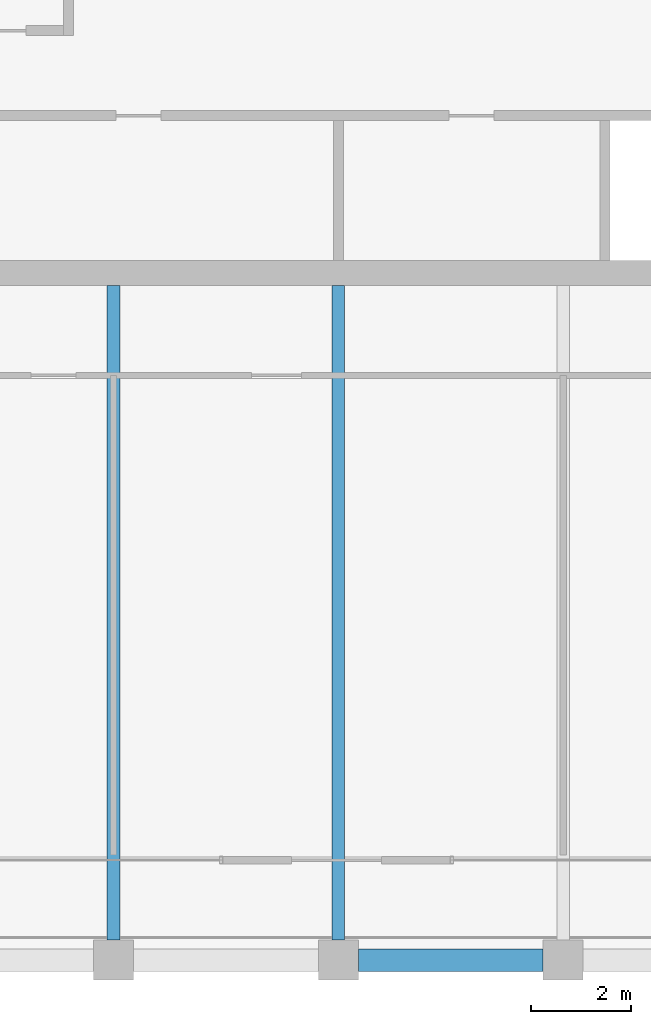
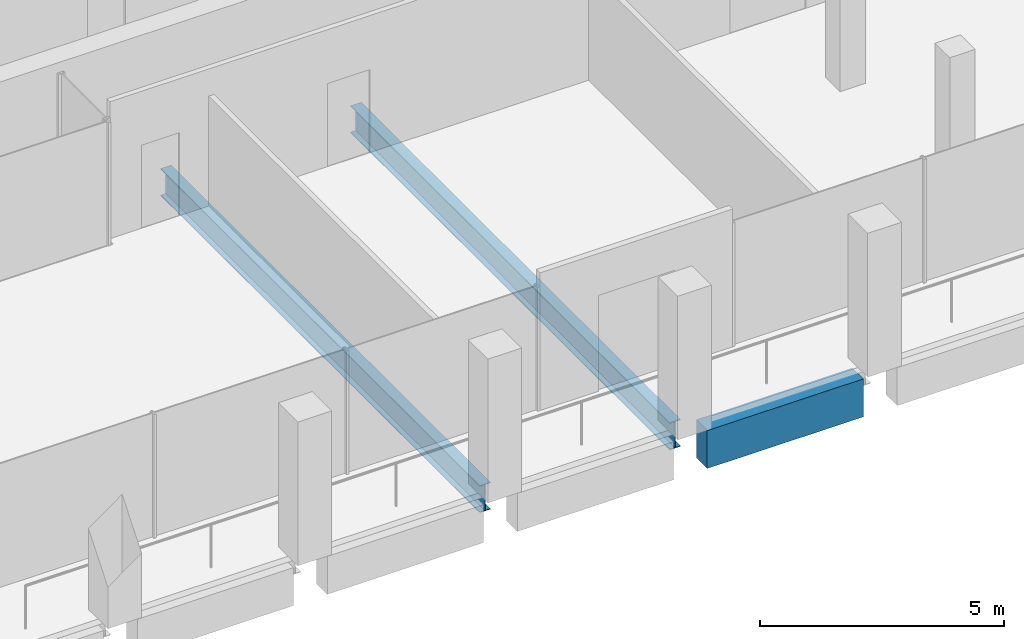
# One storey, part 8 of 30: 3 beams.
"""IFC4 building model written with IfcOpenShell, lengths in metres."""

from ifc_helpers import new_model, si_unit, direction, frame, origin, origin_2d, place, context, subcontext, project, spatial, rectangle, i_section, extrude, material, material_profile, profile_set, type_object, element, save


model = new_model("IFC4")

# Units and contexts
model_context = context("Model", 3, precision=1e-05, world=origin(), true_north=direction((0.0, 1.0)))
body_context = subcontext(model_context, "Body", "Model", "MODEL_VIEW")
ifc_project = project(units=[si_unit("LENGTHUNIT", "METRE"), si_unit("AREAUNIT", "SQUARE_METRE"), si_unit("VOLUMEUNIT", "CUBIC_METRE"), si_unit("PLANEANGLEUNIT", "RADIAN"), si_unit("MASSUNIT", "GRAM", prefix="KILO")], contexts=[model_context])

# Site, building, storey
site_placement = place(None, origin())
site = spatial("IfcSite", under=ifc_project, at=site_placement, CompositionType="ELEMENT")
building_placement = place(site_placement, origin())
building = spatial("IfcBuilding", under=site, at=building_placement, Name="Altepetl Exchange Towers", CompositionType="ELEMENT")
storey_placement = place(building_placement, frame((0.0, 0.0, 238.800048828125)))
storey = spatial("IfcBuildingStorey", under=building, at=storey_placement, Name="L61", CompositionType="ELEMENT", Elevation=238.800048828125)

# Beams
ifc_material_1 = material(Name="Steel S355", Category="steel")
ifc_material_profile_1 = material_profile(ifc_material_1, i_section(OverallWidth=0.2529296875, OverallDepth=0.677978515625, WebThickness=0.01171875, FlangeThickness=0.016357421875, at=origin_2d()), Name="W27X84")
ifc_profile_set_1 = profile_set([ifc_material_profile_1], Name="Steel S355")
beam_type_1 = type_object("IfcBeamType", Name="Floor beam W27X84", PredefinedType="BEAM", material=ifc_profile_set_1)
for number, where, z_axis, x_axis, name in (
    (1, (45.0, 27.39990234375, -0.489013671875), (0.0, 1.0, 0.0), (-1.0, 0.0, 0.0), "bm:A:L61:015"),
    (2, (49.5, 27.39990234375, -0.489013671875), (0.0, 1.0, 0.0), (-1.0, 0.0, 0.0), "bm:A:L61:016"),
):
    element("IfcBeam", number, at=place(storey_placement, frame(where, z_axis=z_axis, x_axis=x_axis)), inside=storey, type_object=beam_type_1, Name=name, PredefinedType="BEAM", context=body_context, shape_type="SweptSolid", body=[
        extrude(i_section(OverallWidth=0.2529296875, OverallDepth=0.677978515625, WebThickness=0.01171875, FlangeThickness=0.016357421875, at=origin_2d()), origin(), (0.0, 0.0, 1.0), 13.10009765625),
    ])
ifc_material_2 = material(Name="Concrete C50/60 precast with cantera blanca facing", Category="concrete")
ifc_material_profile_2 = material_profile(ifc_material_2, rectangle(XDim=0.449951171875, YDim=0.949951171875, at=origin_2d()), Name="450 x 950")
ifc_profile_set_2 = profile_set([ifc_material_profile_2], Name="Concrete C50/60 precast with cantera blanca facing")
beam_type_2 = type_object("IfcBeamType", Name="Spandrel beam 450x950 cantera blanca", PredefinedType="SPANDREL", material=ifc_profile_set_2)
beam_placement = place(storey_placement, frame((49.89990234375, 27.0, -0.625), z_axis=(1.0, 0.0, 0.0), x_axis=(0.0, 1.0, 0.0)))
element("IfcBeam", 3, at=beam_placement, inside=storey, type_object=beam_type_2, Name="sp:A:L61:004", PredefinedType="SPANDREL", context=body_context, shape_type="SweptSolid", body=[
    extrude(rectangle(XDim=0.449951171875, YDim=0.949951171875, at=origin_2d()), origin(), (0.0, 0.0, 1.0), 3.7001953125),
])

save(model, "model.ifc")
